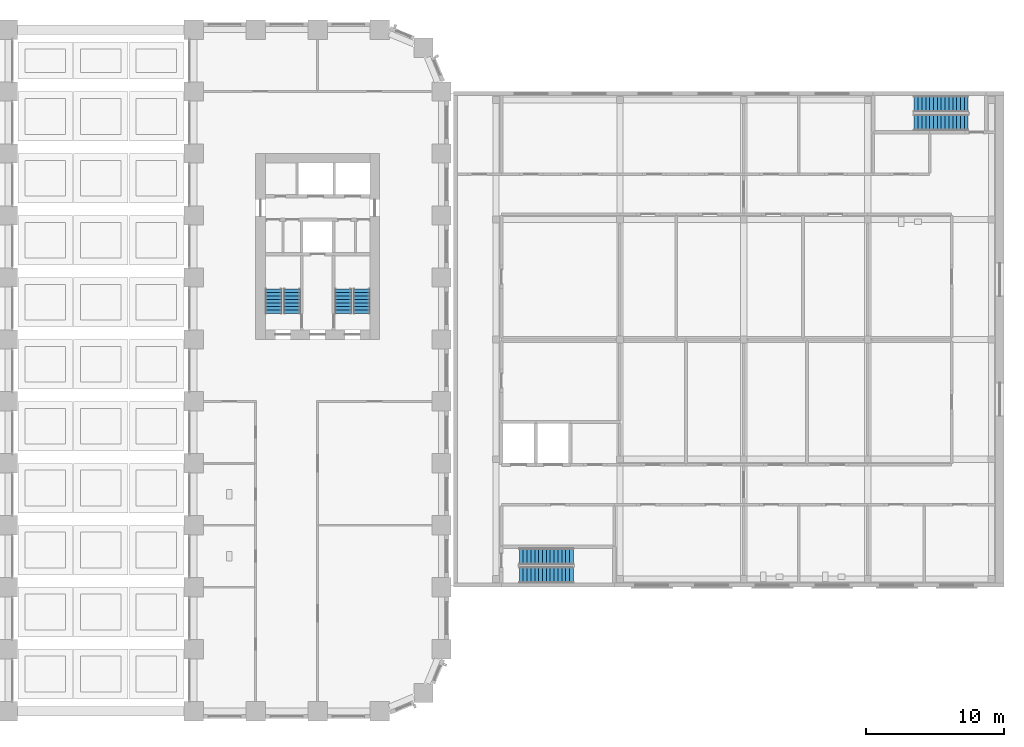
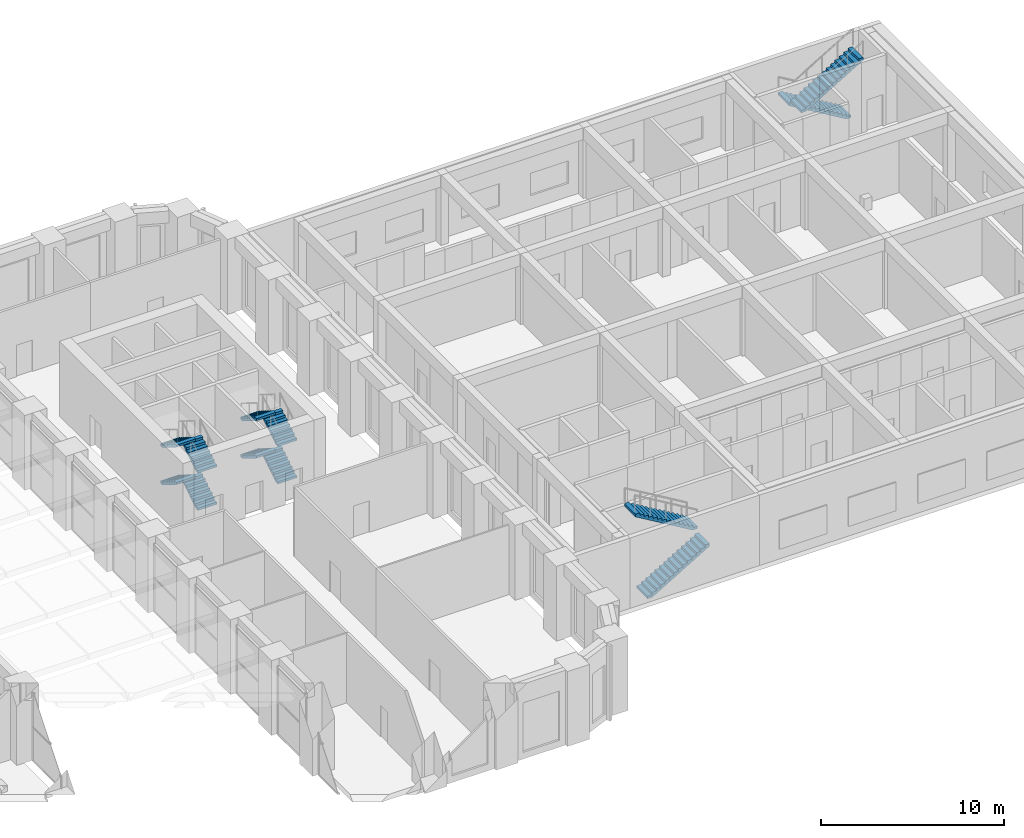
# One storey, part 17 of 24: 12 stair flights, 4 elements without a shape of their own.
"""IFC4 building model written with IfcOpenShell, lengths in metres."""

from ifc_helpers import new_model, si_unit, direction, frame, origin, place, context, subcontext, project, spatial, polyline, outline, extrude, material, type_object, element, aggregate, save


model = new_model("IFC4")

# Units and contexts
model_context = context("Model", 3, precision=1e-05, world=origin(), true_north=direction((0.0, 1.0)))
body_context = subcontext(model_context, "Body", "Model", "MODEL_VIEW")
ifc_project = project(units=[si_unit("LENGTHUNIT", "METRE"), si_unit("AREAUNIT", "SQUARE_METRE"), si_unit("VOLUMEUNIT", "CUBIC_METRE"), si_unit("PLANEANGLEUNIT", "RADIAN"), si_unit("MASSUNIT", "GRAM", prefix="KILO")], contexts=[model_context])

# Site, building, storey
site_placement = place(None, origin())
site = spatial("IfcSite", under=ifc_project, at=site_placement, CompositionType="ELEMENT")
building_placement = place(site_placement, origin())
building = spatial("IfcBuilding", under=site, at=building_placement, Name="Girih Gate Residences", CompositionType="ELEMENT")
storey_placement = place(building_placement, frame((0.0, 0.0, 16.0)))
storey = spatial("IfcBuildingStorey", under=building, at=storey_placement, Name="L03", CompositionType="ELEMENT", Elevation=16.0)

# Stair, stair flights
ifc_material = material(Name="Concrete C40/50", Category="concrete")
stair_type_1 = type_object("IfcStairType", Name="HC Stair", PredefinedType="HALF_TURN_STAIR", material=ifc_material)
stair_1_placement = place(storey_placement, origin())
stair_1 = element("IfcStair", 1, at=stair_1_placement, inside=storey, type_object=stair_type_1, Name="L03 stair A", PredefinedType="HALF_TURN_STAIR")
stair_flight_type_1 = type_object("IfcStairFlightType", Name="HC Stair flight", PredefinedType="STRAIGHT", material=ifc_material)
stair_flight_1_placement = place(storey_placement, frame((55.14990234375, 9.89990234375, 0.0), z_axis=(0.0, 0.0, 1.0), x_axis=(1.0, 0.0, 0.0)))
stair_flight_1 = element("IfcStairFlight", 2, at=stair_flight_1_placement, type_object=stair_flight_type_1, Name="HC-STA flight 1", NumberOfRisers=15, NumberOfTreads=14, PredefinedType="STRAIGHT", RiserHeight=0.166666667, TreadLength=0.28, context=body_context, shape_type="SweptSolid", body=[
    extrude(outline(polyline([(0.0, 0.0), (0.0, 0.166748046875), (0.280029296875, 0.166748046875), (0.280029296875, 0.333251953125), (0.56005859375, 0.333251953125), (0.56005859375, 0.5), (0.840087890625, 0.5), (0.840087890625, 0.666748046875), (1.1201171875, 0.666748046875), (1.1201171875, 0.833251953125), (1.39990234375, 0.833251953125), (1.39990234375, 1.0), (1.679931640625, 1.0), (1.679931640625, 1.166748046875), (1.9599609375, 1.166748046875), (1.9599609375, 1.333251953125), (2.239990234375, 1.333251953125), (2.239990234375, 1.5), (2.52001953125, 1.5), (2.52001953125, 1.666748046875), (2.800048828125, 1.666748046875), (2.800048828125, 1.833251953125), (3.080078125, 1.833251953125), (3.080078125, 2.0), (3.360107421875, 2.0), (3.360107421875, 2.166748046875), (3.639892578125, 2.166748046875), (3.639892578125, 2.333251953125), (3.919921875, 2.333251953125), (3.919921875, 2.5), (3.919921875, 2.158935546875), (0.29296875, 0.0), (0.0, 0.0)])), frame((0.0, 0.60009765625, 0.0), z_axis=(0.0, -1.0, 0.0), x_axis=(1.0, 0.0, 0.0)), (0.0, 0.0, 1.0), 1.199951171875),
])
stair_flight_2_placement = place(storey_placement, frame((59.070068359375, 11.25, 2.5), z_axis=(0.0, 0.0, 1.0), x_axis=(-1.0, 0.0, 0.0)))
stair_flight_2 = element("IfcStairFlight", 3, at=stair_flight_2_placement, type_object=stair_flight_type_1, Name="HC-STA flight 2", NumberOfRisers=15, NumberOfTreads=14, PredefinedType="STRAIGHT", RiserHeight=0.166666667, TreadLength=0.28, context=body_context, shape_type="SweptSolid", body=[
    extrude(outline(polyline([(0.0, 0.0), (0.0, 0.166748046875), (0.280029296875, 0.166748046875), (0.280029296875, 0.333251953125), (0.56005859375, 0.333251953125), (0.56005859375, 0.5), (0.840087890625, 0.5), (0.840087890625, 0.666748046875), (1.1201171875, 0.666748046875), (1.1201171875, 0.833251953125), (1.39990234375, 0.833251953125), (1.39990234375, 1.0), (1.679931640625, 1.0), (1.679931640625, 1.166748046875), (1.9599609375, 1.166748046875), (1.9599609375, 1.333251953125), (2.239990234375, 1.333251953125), (2.239990234375, 1.5), (2.52001953125, 1.5), (2.52001953125, 1.666748046875), (2.800048828125, 1.666748046875), (2.800048828125, 1.833251953125), (3.080078125, 1.833251953125), (3.080078125, 2.0), (3.360107421875, 2.0), (3.360107421875, 2.166748046875), (3.639892578125, 2.166748046875), (3.639892578125, 2.333251953125), (3.919921875, 2.333251953125), (3.919921875, 2.5), (3.919921875, 2.158935546875), (0.29296875, 0.0), (0.0, 0.0)])), frame((0.0, 0.60009765625, 0.0), z_axis=(0.0, -1.0, 0.0), x_axis=(1.0, 0.0, 0.0)), (0.0, 0.0, 1.0), 1.199951171875),
])
aggregate(stair_1, [stair_flight_1, stair_flight_2])

stair_2_placement = place(storey_placement, origin())
stair_2 = element("IfcStair", 4, at=stair_2_placement, inside=storey, type_object=stair_type_1, Name="L03 stair B", PredefinedType="HALF_TURN_STAIR")
stair_flight_3_placement = place(storey_placement, frame((87.75, 44.10009765625, 0.0), z_axis=(0.0, 0.0, 1.0), x_axis=(-1.0, 0.0, 0.0)))
stair_flight_3 = element("IfcStairFlight", 5, at=stair_flight_3_placement, type_object=stair_flight_type_1, Name="HC-STB flight 1", NumberOfRisers=15, NumberOfTreads=14, PredefinedType="STRAIGHT", RiserHeight=0.166666667, TreadLength=0.28, context=body_context, shape_type="SweptSolid", body=[
    extrude(outline(polyline([(0.0, 0.0), (0.0, 0.166748046875), (0.280029296875, 0.166748046875), (0.280029296875, 0.333251953125), (0.56005859375, 0.333251953125), (0.56005859375, 0.5), (0.840087890625, 0.5), (0.840087890625, 0.666748046875), (1.1201171875, 0.666748046875), (1.1201171875, 0.833251953125), (1.39990234375, 0.833251953125), (1.39990234375, 1.0), (1.679931640625, 1.0), (1.679931640625, 1.166748046875), (1.9599609375, 1.166748046875), (1.9599609375, 1.333251953125), (2.239990234375, 1.333251953125), (2.239990234375, 1.5), (2.52001953125, 1.5), (2.52001953125, 1.666748046875), (2.800048828125, 1.666748046875), (2.800048828125, 1.833251953125), (3.080078125, 1.833251953125), (3.080078125, 2.0), (3.360107421875, 2.0), (3.360107421875, 2.166748046875), (3.639892578125, 2.166748046875), (3.639892578125, 2.333251953125), (3.919921875, 2.333251953125), (3.919921875, 2.5), (3.919921875, 2.158935546875), (0.29296875, 0.0), (0.0, 0.0)])), frame((0.0, 0.60009765625, 0.0), z_axis=(0.0, -1.0, 0.0), x_axis=(1.0, 0.0, 0.0)), (0.0, 0.0, 1.0), 1.199951171875),
])
stair_flight_4_placement = place(storey_placement, frame((83.830078125, 42.75, 2.5), z_axis=(0.0, 0.0, 1.0), x_axis=(1.0, 0.0, 0.0)))
stair_flight_4 = element("IfcStairFlight", 6, at=stair_flight_4_placement, type_object=stair_flight_type_1, Name="HC-STB flight 2", NumberOfRisers=15, NumberOfTreads=14, PredefinedType="STRAIGHT", RiserHeight=0.166666667, TreadLength=0.28, context=body_context, shape_type="SweptSolid", body=[
    extrude(outline(polyline([(0.0, 0.0), (0.0, 0.166748046875), (0.280029296875, 0.166748046875), (0.280029296875, 0.333251953125), (0.56005859375, 0.333251953125), (0.56005859375, 0.5), (0.840087890625, 0.5), (0.840087890625, 0.666748046875), (1.1201171875, 0.666748046875), (1.1201171875, 0.833251953125), (1.39990234375, 0.833251953125), (1.39990234375, 1.0), (1.679931640625, 1.0), (1.679931640625, 1.166748046875), (1.9599609375, 1.166748046875), (1.9599609375, 1.333251953125), (2.239990234375, 1.333251953125), (2.239990234375, 1.5), (2.52001953125, 1.5), (2.52001953125, 1.666748046875), (2.800048828125, 1.666748046875), (2.800048828125, 1.833251953125), (3.080078125, 1.833251953125), (3.080078125, 2.0), (3.360107421875, 2.0), (3.360107421875, 2.166748046875), (3.639892578125, 2.166748046875), (3.639892578125, 2.333251953125), (3.919921875, 2.333251953125), (3.919921875, 2.5), (3.919921875, 2.158935546875), (0.29296875, 0.0), (0.0, 0.0)])), frame((0.0, 0.60009765625, 0.0), z_axis=(0.0, -1.0, 0.0), x_axis=(1.0, 0.0, 0.0)), (0.0, 0.0, 1.0), 1.199951171875),
])
aggregate(stair_2, [stair_flight_3, stair_flight_4])

stair_type_2 = type_object("IfcStairType", Name="Exit stair", PredefinedType="HALF_TURN_STAIR", material=ifc_material)
stair_3_placement = place(storey_placement, origin())
stair_3 = element("IfcStair", 7, at=stair_3_placement, inside=storey, type_object=stair_type_2, Name="L03 Exit Stair ST-E1", PredefinedType="HALF_TURN_STAIR")
stair_flight_type_2 = type_object("IfcStairFlightType", Name="Stair flight 1200", PredefinedType="STRAIGHT", material=ifc_material)
stair_flight_5_placement = place(storey_placement, frame((43.699951171875, 28.89990234375, 0.0), z_axis=(0.0, 0.0, 1.0), x_axis=(0.0, 1.0, 0.0)))
stair_flight_5 = element("IfcStairFlight", 8, at=stair_flight_5_placement, type_object=stair_flight_type_2, Name="ST-E1 flight 1", NumberOfRisers=8, NumberOfTreads=7, PredefinedType="STRAIGHT", RiserHeight=0.15625, TreadLength=0.25, context=body_context, shape_type="SweptSolid", body=[
    extrude(outline(polyline([(0.0, 0.0), (0.0, 0.01123046875), (0.0, 0.022216796875), (0.0, 0.033447265625), (0.0, 0.044677734375), (0.0, 0.055908203125), (0.0, 0.06689453125), (0.0, 0.078125), (0.0, 0.08935546875), (0.0, 0.100341796875), (0.0, 0.111572265625), (0.0, 0.122802734375), (0.0, 0.134033203125), (0.0, 0.14501953125), (0.0, 0.15625), (0.25, 0.15625), (0.25, 0.3125), (0.5, 0.3125), (0.5, 0.46875), (0.75, 0.46875), (0.75, 0.625), (1.0, 0.625), (1.0, 0.78125), (1.25, 0.78125), (1.25, 0.9375), (1.5, 0.9375), (1.5, 1.09375), (1.75, 1.09375), (1.75, 1.10498046875), (1.75, 1.115966796875), (1.75, 1.127197265625), (1.75, 1.138427734375), (1.75, 1.149658203125), (1.75, 1.16064453125), (1.75, 1.171875), (1.75, 1.18310546875), (1.75, 1.194091796875), (1.75, 1.205322265625), (1.75, 1.216552734375), (1.75, 1.227783203125), (1.75, 1.23876953125), (1.75, 1.25), (1.75, 1.228759765625), (1.75, 1.20751953125), (1.75, 1.186279296875), (1.75, 1.164794921875), (1.75, 1.1435546875), (1.75, 1.122314453125), (1.75, 1.10107421875), (1.75, 1.079833984375), (1.75, 1.05859375), (1.75, 1.037109375), (1.75, 1.015869140625), (1.75, 0.99462890625), (1.75, 0.973388671875), (1.75, 0.9521484375), (0.2265625, 0.0), (0.0, 0.0)])), frame((0.0, 0.60009765625, 0.0), z_axis=(0.0, -1.0, 0.0), x_axis=(1.0, 0.0, 0.0)), (0.0, 0.0, 1.0), 1.199951171875),
])
stair_flight_6_placement = place(storey_placement, frame((42.35009765625, 30.64990234375, 1.25), z_axis=(0.0, 0.0, 1.0), x_axis=(0.0, -1.0, 0.0)))
stair_flight_6 = element("IfcStairFlight", 9, at=stair_flight_6_placement, type_object=stair_flight_type_2, Name="ST-E1 flight 2", NumberOfRisers=8, NumberOfTreads=7, PredefinedType="STRAIGHT", RiserHeight=0.15625, TreadLength=0.25, context=body_context, shape_type="SweptSolid", body=[
    extrude(outline(polyline([(0.0, 0.0), (0.0, 0.01123046875), (0.0, 0.022216796875), (0.0, 0.033447265625), (0.0, 0.044677734375), (0.0, 0.055908203125), (0.0, 0.06689453125), (0.0, 0.078125), (0.0, 0.08935546875), (0.0, 0.100341796875), (0.0, 0.111572265625), (0.0, 0.122802734375), (0.0, 0.134033203125), (0.0, 0.14501953125), (0.0, 0.15625), (0.25, 0.15625), (0.25, 0.3125), (0.5, 0.3125), (0.5, 0.46875), (0.75, 0.46875), (0.75, 0.625), (1.0, 0.625), (1.0, 0.78125), (1.25, 0.78125), (1.25, 0.9375), (1.5, 0.9375), (1.5, 1.09375), (1.75, 1.09375), (1.75, 1.10498046875), (1.75, 1.115966796875), (1.75, 1.127197265625), (1.75, 1.138427734375), (1.75, 1.149658203125), (1.75, 1.16064453125), (1.75, 1.171875), (1.75, 1.18310546875), (1.75, 1.194091796875), (1.75, 1.205322265625), (1.75, 1.216552734375), (1.75, 1.227783203125), (1.75, 1.23876953125), (1.75, 1.25), (1.75, 1.228759765625), (1.75, 1.20751953125), (1.75, 1.186279296875), (1.75, 1.164794921875), (1.75, 1.1435546875), (1.75, 1.122314453125), (1.75, 1.10107421875), (1.75, 1.079833984375), (1.75, 1.05859375), (1.75, 1.037109375), (1.75, 1.015869140625), (1.75, 0.99462890625), (1.75, 0.973388671875), (1.75, 0.9521484375), (0.2265625, 0.0), (0.0, 0.0)])), frame((0.0, 0.60009765625, 0.0), z_axis=(0.0, -1.0, 0.0), x_axis=(1.0, 0.0, 0.0)), (0.0, 0.0, 1.0), 1.199951171875),
])
stair_flight_7_placement = place(storey_placement, frame((43.699951171875, 28.89990234375, 2.5), z_axis=(0.0, 0.0, 1.0), x_axis=(0.0, 1.0, 0.0)))
stair_flight_7 = element("IfcStairFlight", 10, at=stair_flight_7_placement, type_object=stair_flight_type_2, Name="ST-E1 flight 3", NumberOfRisers=8, NumberOfTreads=7, PredefinedType="STRAIGHT", RiserHeight=0.15625, TreadLength=0.25, context=body_context, shape_type="SweptSolid", body=[
    extrude(outline(polyline([(0.0, 0.0), (0.0, 0.01123046875), (0.0, 0.022216796875), (0.0, 0.033447265625), (0.0, 0.044677734375), (0.0, 0.055908203125), (0.0, 0.06689453125), (0.0, 0.078125), (0.0, 0.08935546875), (0.0, 0.100341796875), (0.0, 0.111572265625), (0.0, 0.122802734375), (0.0, 0.134033203125), (0.0, 0.14501953125), (0.0, 0.15625), (0.25, 0.15625), (0.25, 0.3125), (0.5, 0.3125), (0.5, 0.46875), (0.75, 0.46875), (0.75, 0.625), (1.0, 0.625), (1.0, 0.78125), (1.25, 0.78125), (1.25, 0.9375), (1.5, 0.9375), (1.5, 1.09375), (1.75, 1.09375), (1.75, 1.10498046875), (1.75, 1.115966796875), (1.75, 1.127197265625), (1.75, 1.138427734375), (1.75, 1.149658203125), (1.75, 1.16064453125), (1.75, 1.171875), (1.75, 1.18310546875), (1.75, 1.194091796875), (1.75, 1.205322265625), (1.75, 1.216552734375), (1.75, 1.227783203125), (1.75, 1.23876953125), (1.75, 1.25), (1.75, 1.228759765625), (1.75, 1.20751953125), (1.75, 1.186279296875), (1.75, 1.164794921875), (1.75, 1.1435546875), (1.75, 1.122314453125), (1.75, 1.10107421875), (1.75, 1.079833984375), (1.75, 1.05859375), (1.75, 1.037109375), (1.75, 1.015869140625), (1.75, 0.99462890625), (1.75, 0.973388671875), (1.75, 0.9521484375), (0.2265625, 0.0), (0.0, 0.0)])), frame((0.0, 0.60009765625, 0.0), z_axis=(0.0, -1.0, 0.0), x_axis=(1.0, 0.0, 0.0)), (0.0, 0.0, 1.0), 1.199951171875),
])
stair_flight_8_placement = place(storey_placement, frame((42.35009765625, 30.64990234375, 3.75), z_axis=(0.0, 0.0, 1.0), x_axis=(0.0, -1.0, 0.0)))
stair_flight_8 = element("IfcStairFlight", 11, at=stair_flight_8_placement, type_object=stair_flight_type_2, Name="ST-E1 flight 4", NumberOfRisers=8, NumberOfTreads=7, PredefinedType="STRAIGHT", RiserHeight=0.15625, TreadLength=0.25, context=body_context, shape_type="SweptSolid", body=[
    extrude(outline(polyline([(0.0, 0.0), (0.0, 0.01123046875), (0.0, 0.022216796875), (0.0, 0.033447265625), (0.0, 0.044677734375), (0.0, 0.055908203125), (0.0, 0.06689453125), (0.0, 0.078125), (0.0, 0.08935546875), (0.0, 0.100341796875), (0.0, 0.111572265625), (0.0, 0.122802734375), (0.0, 0.134033203125), (0.0, 0.14501953125), (0.0, 0.15625), (0.25, 0.15625), (0.25, 0.3125), (0.5, 0.3125), (0.5, 0.46875), (0.75, 0.46875), (0.75, 0.625), (1.0, 0.625), (1.0, 0.78125), (1.25, 0.78125), (1.25, 0.9375), (1.5, 0.9375), (1.5, 1.09375), (1.75, 1.09375), (1.75, 1.10498046875), (1.75, 1.115966796875), (1.75, 1.127197265625), (1.75, 1.138427734375), (1.75, 1.149658203125), (1.75, 1.16064453125), (1.75, 1.171875), (1.75, 1.18310546875), (1.75, 1.194091796875), (1.75, 1.205322265625), (1.75, 1.216552734375), (1.75, 1.227783203125), (1.75, 1.23876953125), (1.75, 1.25), (1.75, 1.228759765625), (1.75, 1.20751953125), (1.75, 1.186279296875), (1.75, 1.164794921875), (1.75, 1.1435546875), (1.75, 1.122314453125), (1.75, 1.10107421875), (1.75, 1.079833984375), (1.75, 1.05859375), (1.75, 1.037109375), (1.75, 1.015869140625), (1.75, 0.99462890625), (1.75, 0.973388671875), (1.75, 0.9521484375), (0.2265625, 0.0), (0.0, 0.0)])), frame((0.0, 0.60009765625, 0.0), z_axis=(0.0, -1.0, 0.0), x_axis=(1.0, 0.0, 0.0)), (0.0, 0.0, 1.0), 1.199951171875),
])
aggregate(stair_3, [stair_flight_5, stair_flight_6, stair_flight_7, stair_flight_8])

stair_4_placement = place(storey_placement, origin())
stair_4 = element("IfcStair", 12, at=stair_4_placement, inside=storey, type_object=stair_type_2, Name="L03 Exit Stair ST-E2", PredefinedType="HALF_TURN_STAIR")
stair_flight_9_placement = place(storey_placement, frame((38.64990234375, 28.89990234375, 0.0), z_axis=(0.0, 0.0, 1.0), x_axis=(0.0, 1.0, 0.0)))
stair_flight_9 = element("IfcStairFlight", 13, at=stair_flight_9_placement, type_object=stair_flight_type_2, Name="ST-E2 flight 1", NumberOfRisers=8, NumberOfTreads=7, PredefinedType="STRAIGHT", RiserHeight=0.15625, TreadLength=0.25, context=body_context, shape_type="SweptSolid", body=[
    extrude(outline(polyline([(0.0, 0.0), (0.0, 0.01123046875), (0.0, 0.022216796875), (0.0, 0.033447265625), (0.0, 0.044677734375), (0.0, 0.055908203125), (0.0, 0.06689453125), (0.0, 0.078125), (0.0, 0.08935546875), (0.0, 0.100341796875), (0.0, 0.111572265625), (0.0, 0.122802734375), (0.0, 0.134033203125), (0.0, 0.14501953125), (0.0, 0.15625), (0.25, 0.15625), (0.25, 0.3125), (0.5, 0.3125), (0.5, 0.46875), (0.75, 0.46875), (0.75, 0.625), (1.0, 0.625), (1.0, 0.78125), (1.25, 0.78125), (1.25, 0.9375), (1.5, 0.9375), (1.5, 1.09375), (1.75, 1.09375), (1.75, 1.10498046875), (1.75, 1.115966796875), (1.75, 1.127197265625), (1.75, 1.138427734375), (1.75, 1.149658203125), (1.75, 1.16064453125), (1.75, 1.171875), (1.75, 1.18310546875), (1.75, 1.194091796875), (1.75, 1.205322265625), (1.75, 1.216552734375), (1.75, 1.227783203125), (1.75, 1.23876953125), (1.75, 1.25), (1.75, 1.228759765625), (1.75, 1.20751953125), (1.75, 1.186279296875), (1.75, 1.164794921875), (1.75, 1.1435546875), (1.75, 1.122314453125), (1.75, 1.10107421875), (1.75, 1.079833984375), (1.75, 1.05859375), (1.75, 1.037109375), (1.75, 1.015869140625), (1.75, 0.99462890625), (1.75, 0.973388671875), (1.75, 0.9521484375), (0.2265625, 0.0), (0.0, 0.0)])), frame((0.0, 0.60009765625, 0.0), z_axis=(0.0, -1.0, 0.0), x_axis=(1.0, 0.0, 0.0)), (0.0, 0.0, 1.0), 1.199951171875),
])
stair_flight_10_placement = place(storey_placement, frame((37.300048828125, 30.64990234375, 1.25), z_axis=(0.0, 0.0, 1.0), x_axis=(0.0, -1.0, 0.0)))
stair_flight_10 = element("IfcStairFlight", 14, at=stair_flight_10_placement, type_object=stair_flight_type_2, Name="ST-E2 flight 2", NumberOfRisers=8, NumberOfTreads=7, PredefinedType="STRAIGHT", RiserHeight=0.15625, TreadLength=0.25, context=body_context, shape_type="SweptSolid", body=[
    extrude(outline(polyline([(0.0, 0.0), (0.0, 0.01123046875), (0.0, 0.022216796875), (0.0, 0.033447265625), (0.0, 0.044677734375), (0.0, 0.055908203125), (0.0, 0.06689453125), (0.0, 0.078125), (0.0, 0.08935546875), (0.0, 0.100341796875), (0.0, 0.111572265625), (0.0, 0.122802734375), (0.0, 0.134033203125), (0.0, 0.14501953125), (0.0, 0.15625), (0.25, 0.15625), (0.25, 0.3125), (0.5, 0.3125), (0.5, 0.46875), (0.75, 0.46875), (0.75, 0.625), (1.0, 0.625), (1.0, 0.78125), (1.25, 0.78125), (1.25, 0.9375), (1.5, 0.9375), (1.5, 1.09375), (1.75, 1.09375), (1.75, 1.10498046875), (1.75, 1.115966796875), (1.75, 1.127197265625), (1.75, 1.138427734375), (1.75, 1.149658203125), (1.75, 1.16064453125), (1.75, 1.171875), (1.75, 1.18310546875), (1.75, 1.194091796875), (1.75, 1.205322265625), (1.75, 1.216552734375), (1.75, 1.227783203125), (1.75, 1.23876953125), (1.75, 1.25), (1.75, 1.228759765625), (1.75, 1.20751953125), (1.75, 1.186279296875), (1.75, 1.164794921875), (1.75, 1.1435546875), (1.75, 1.122314453125), (1.75, 1.10107421875), (1.75, 1.079833984375), (1.75, 1.05859375), (1.75, 1.037109375), (1.75, 1.015869140625), (1.75, 0.99462890625), (1.75, 0.973388671875), (1.75, 0.9521484375), (0.2265625, 0.0), (0.0, 0.0)])), frame((0.0, 0.60009765625, 0.0), z_axis=(0.0, -1.0, 0.0), x_axis=(1.0, 0.0, 0.0)), (0.0, 0.0, 1.0), 1.199951171875),
])
stair_flight_11_placement = place(storey_placement, frame((38.64990234375, 28.89990234375, 2.5), z_axis=(0.0, 0.0, 1.0), x_axis=(0.0, 1.0, 0.0)))
stair_flight_11 = element("IfcStairFlight", 15, at=stair_flight_11_placement, type_object=stair_flight_type_2, Name="ST-E2 flight 3", NumberOfRisers=8, NumberOfTreads=7, PredefinedType="STRAIGHT", RiserHeight=0.15625, TreadLength=0.25, context=body_context, shape_type="SweptSolid", body=[
    extrude(outline(polyline([(0.0, 0.0), (0.0, 0.01123046875), (0.0, 0.022216796875), (0.0, 0.033447265625), (0.0, 0.044677734375), (0.0, 0.055908203125), (0.0, 0.06689453125), (0.0, 0.078125), (0.0, 0.08935546875), (0.0, 0.100341796875), (0.0, 0.111572265625), (0.0, 0.122802734375), (0.0, 0.134033203125), (0.0, 0.14501953125), (0.0, 0.15625), (0.25, 0.15625), (0.25, 0.3125), (0.5, 0.3125), (0.5, 0.46875), (0.75, 0.46875), (0.75, 0.625), (1.0, 0.625), (1.0, 0.78125), (1.25, 0.78125), (1.25, 0.9375), (1.5, 0.9375), (1.5, 1.09375), (1.75, 1.09375), (1.75, 1.10498046875), (1.75, 1.115966796875), (1.75, 1.127197265625), (1.75, 1.138427734375), (1.75, 1.149658203125), (1.75, 1.16064453125), (1.75, 1.171875), (1.75, 1.18310546875), (1.75, 1.194091796875), (1.75, 1.205322265625), (1.75, 1.216552734375), (1.75, 1.227783203125), (1.75, 1.23876953125), (1.75, 1.25), (1.75, 1.228759765625), (1.75, 1.20751953125), (1.75, 1.186279296875), (1.75, 1.164794921875), (1.75, 1.1435546875), (1.75, 1.122314453125), (1.75, 1.10107421875), (1.75, 1.079833984375), (1.75, 1.05859375), (1.75, 1.037109375), (1.75, 1.015869140625), (1.75, 0.99462890625), (1.75, 0.973388671875), (1.75, 0.9521484375), (0.2265625, 0.0), (0.0, 0.0)])), frame((0.0, 0.60009765625, 0.0), z_axis=(0.0, -1.0, 0.0), x_axis=(1.0, 0.0, 0.0)), (0.0, 0.0, 1.0), 1.199951171875),
])
stair_flight_12_placement = place(storey_placement, frame((37.300048828125, 30.64990234375, 3.75), z_axis=(0.0, 0.0, 1.0), x_axis=(0.0, -1.0, 0.0)))
stair_flight_12 = element("IfcStairFlight", 16, at=stair_flight_12_placement, type_object=stair_flight_type_2, Name="ST-E2 flight 4", NumberOfRisers=8, NumberOfTreads=7, PredefinedType="STRAIGHT", RiserHeight=0.15625, TreadLength=0.25, context=body_context, shape_type="SweptSolid", body=[
    extrude(outline(polyline([(0.0, 0.0), (0.0, 0.01123046875), (0.0, 0.022216796875), (0.0, 0.033447265625), (0.0, 0.044677734375), (0.0, 0.055908203125), (0.0, 0.06689453125), (0.0, 0.078125), (0.0, 0.08935546875), (0.0, 0.100341796875), (0.0, 0.111572265625), (0.0, 0.122802734375), (0.0, 0.134033203125), (0.0, 0.14501953125), (0.0, 0.15625), (0.25, 0.15625), (0.25, 0.3125), (0.5, 0.3125), (0.5, 0.46875), (0.75, 0.46875), (0.75, 0.625), (1.0, 0.625), (1.0, 0.78125), (1.25, 0.78125), (1.25, 0.9375), (1.5, 0.9375), (1.5, 1.09375), (1.75, 1.09375), (1.75, 1.10498046875), (1.75, 1.115966796875), (1.75, 1.127197265625), (1.75, 1.138427734375), (1.75, 1.149658203125), (1.75, 1.16064453125), (1.75, 1.171875), (1.75, 1.18310546875), (1.75, 1.194091796875), (1.75, 1.205322265625), (1.75, 1.216552734375), (1.75, 1.227783203125), (1.75, 1.23876953125), (1.75, 1.25), (1.75, 1.228759765625), (1.75, 1.20751953125), (1.75, 1.186279296875), (1.75, 1.164794921875), (1.75, 1.1435546875), (1.75, 1.122314453125), (1.75, 1.10107421875), (1.75, 1.079833984375), (1.75, 1.05859375), (1.75, 1.037109375), (1.75, 1.015869140625), (1.75, 0.99462890625), (1.75, 0.973388671875), (1.75, 0.9521484375), (0.2265625, 0.0), (0.0, 0.0)])), frame((0.0, 0.60009765625, 0.0), z_axis=(0.0, -1.0, 0.0), x_axis=(1.0, 0.0, 0.0)), (0.0, 0.0, 1.0), 1.199951171875),
])
aggregate(stair_4, [stair_flight_9, stair_flight_10, stair_flight_11, stair_flight_12])

save(model, "model.ifc")
